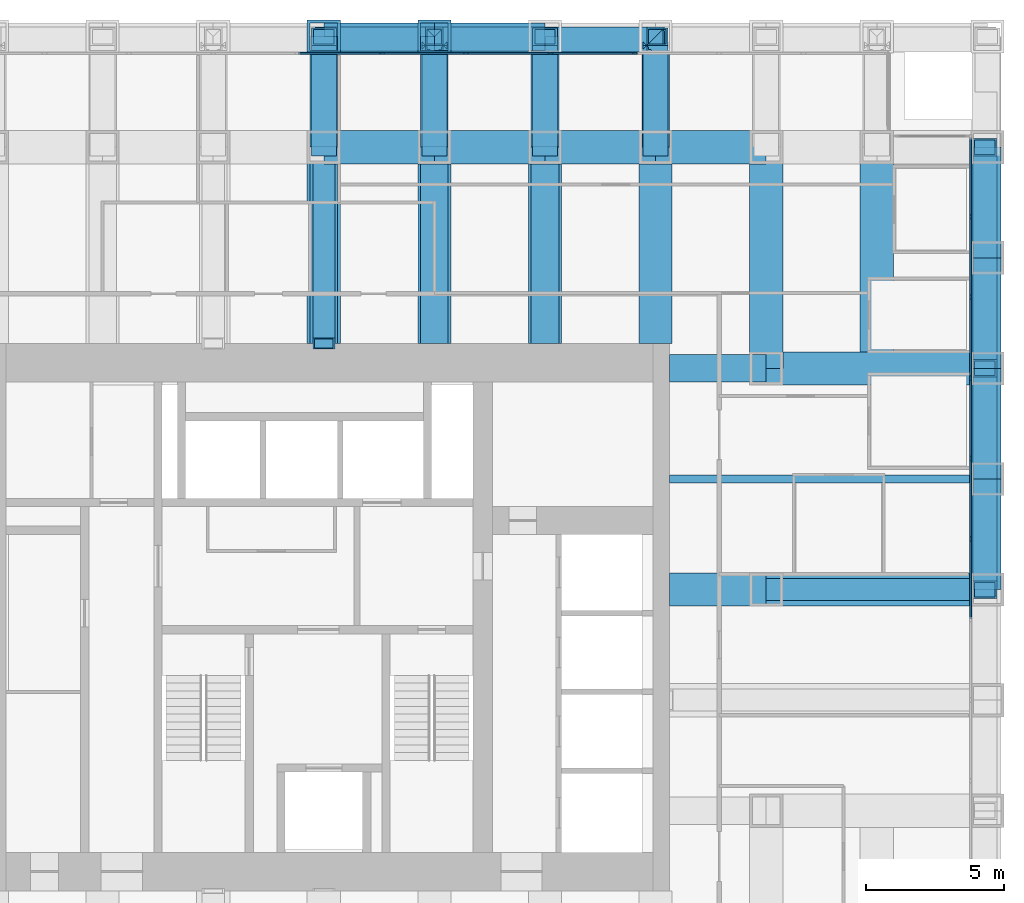
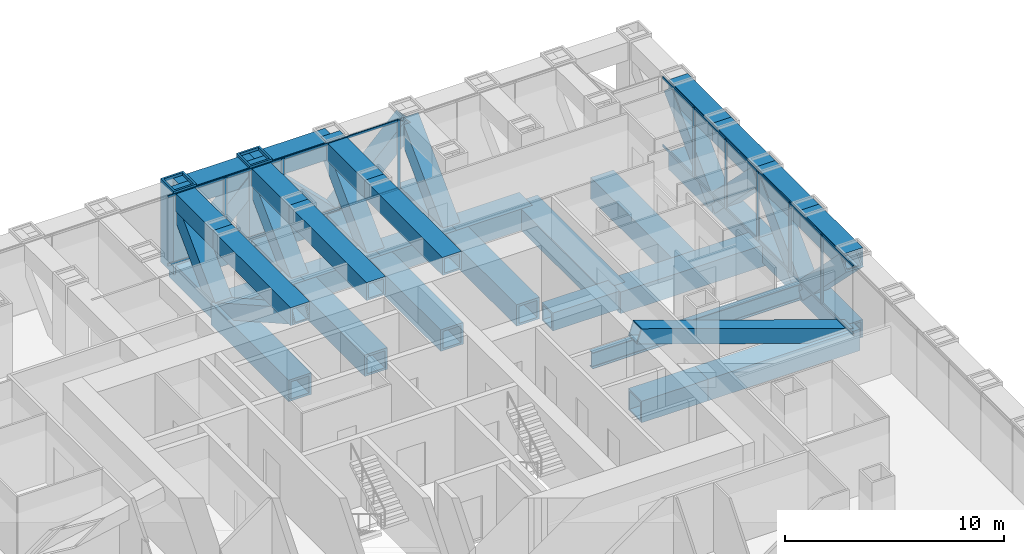
# One storey, part 9 of 18: 44 members, 37 beams, 2 elements without a shape of their own.
"""IFC4 building model written with IfcOpenShell, lengths in metres."""

from ifc_helpers import new_model, si_unit, direction, frame, origin, origin_2d, place, context, subcontext, project, spatial, rectangle, hollow_rectangle, i_section, extrude, material, material_profile, profile_set, type_object, element, aggregate, save


model = new_model("IFC4")

# Units and contexts
model_context = context("Model", 3, precision=1e-05, world=origin(), true_north=direction((0.0, 1.0)))
body_context = subcontext(model_context, "Body", "Model", "MODEL_VIEW")
ifc_project = project(units=[si_unit("LENGTHUNIT", "METRE"), si_unit("AREAUNIT", "SQUARE_METRE"), si_unit("VOLUMEUNIT", "CUBIC_METRE"), si_unit("PLANEANGLEUNIT", "RADIAN"), si_unit("MASSUNIT", "GRAM", prefix="KILO")], contexts=[model_context])

# Site, building, storey
site_placement = place(None, origin())
site = spatial("IfcSite", under=ifc_project, at=site_placement, CompositionType="ELEMENT")
building_placement = place(site_placement, origin())
building = spatial("IfcBuilding", under=site, at=building_placement, Name="Rimbunsela Tower", CompositionType="ELEMENT")
storey_placement = place(building_placement, frame((0.0, 0.0, 43.0)))
storey = spatial("IfcBuildingStorey", under=building, at=storey_placement, Name="L10", CompositionType="ELEMENT", Elevation=43.0)

# Beams
ifc_material_1 = material(Name="Steel BJ 55 (fy 410 MPa)", Category="steel")
ifc_material_profile_1 = material_profile(ifc_material_1, hollow_rectangle(XDim=1.0, YDim=1.0, WallThickness=0.10009765625, at=origin_2d()), Name="BOX 1000x1000x100")
ifc_profile_set_1 = profile_set([ifc_material_profile_1], Name="Steel BJ 55 (fy 410 MPa)")
beam_type_1 = type_object("IfcBeamType", Name="Beam BOX 1000x1000x100", PredefinedType="BEAM", material=ifc_profile_set_1)
beam_1_placement = place(storey_placement, frame((42.5, 36.0, -0.64990234375), z_axis=(1.0, 0.0, 0.0), x_axis=(0.0, 1.0, 0.0)))
element("IfcBeam", 1, at=beam_1_placement, inside=storey, type_object=beam_type_1, Name="Beam B3 L10", PredefinedType="BEAM", context=body_context, shape_type="SweptSolid", body=[
    extrude(hollow_rectangle(XDim=1.0, YDim=1.0, WallThickness=0.10009765625, at=origin_2d()), origin(), (0.0, 0.0, 1.0), 3.5),
])
ifc_material_2 = material(Name="Steel BJ 55 (fy 410 MPa)", Category="steel")
ifc_material_profile_2 = material_profile(ifc_material_2, hollow_rectangle(XDim=1.199951171875, YDim=1.199951171875, WallThickness=0.10009765625, at=origin_2d()), Name="BOX 1200x1200x100")
ifc_profile_set_2 = profile_set([ifc_material_profile_2], Name="Steel BJ 55 (fy 410 MPa)")
beam_type_2 = type_object("IfcBeamType", Name="Beam BOX 1200x1200x100", PredefinedType="BEAM", material=ifc_profile_set_2)
beam_2_placement = place(storey_placement, frame((42.5, 28.0, -0.75), z_axis=(1.0, 0.0, 0.0), x_axis=(0.0, 1.0, 0.0)))
element("IfcBeam", 2, at=beam_2_placement, inside=storey, type_object=beam_type_2, Name="Beam B5 L10", PredefinedType="BEAM", context=body_context, shape_type="SweptSolid", body=[
    extrude(hollow_rectangle(XDim=1.199951171875, YDim=1.199951171875, WallThickness=0.10009765625, at=origin_2d()), origin(), (0.0, 0.0, 1.0), 3.5),
])
ifc_material_3 = material(Name="Steel BJ 55 (fy 410 MPa)", Category="steel")
ifc_material_profile_3 = material_profile(ifc_material_3, hollow_rectangle(XDim=1.199951171875, YDim=1.199951171875, WallThickness=0.125, at=origin_2d()), Name="BOX 1200x1200x125")
ifc_profile_set_3 = profile_set([ifc_material_profile_3], Name="Steel BJ 55 (fy 410 MPa)")
beam_type_3 = type_object("IfcBeamType", Name="Beam BOX 1200x1200x125", PredefinedType="BEAM", material=ifc_profile_set_3)
beam_3_placement = place(storey_placement, frame((30.0, 36.89990234375, -0.75), z_axis=(0.0, 1.0, 0.0), x_axis=(-1.0, 0.0, 0.0)))
element("IfcBeam", 3, at=beam_3_placement, inside=storey, type_object=beam_type_3, Name="Beam B4 L10", PredefinedType="BEAM", context=body_context, shape_type="SweptSolid", body=[
    extrude(hollow_rectangle(XDim=1.199951171875, YDim=1.199951171875, WallThickness=0.125, at=origin_2d()), origin(), (0.0, 0.0, 1.0), 7.10009765625),
])
beam_4_placement = place(storey_placement, frame((30.0, 44.0, -0.75), z_axis=(1.0, 0.0, 0.0), x_axis=(0.0, 1.0, 0.0)))
element("IfcBeam", 4, at=beam_4_placement, inside=storey, type_object=beam_type_3, Name="Beam B4 L10", PredefinedType="BEAM", context=body_context, shape_type="SweptSolid", body=[
    extrude(hollow_rectangle(XDim=1.199951171875, YDim=1.199951171875, WallThickness=0.125, at=origin_2d()), origin(), (0.0, 0.0, 1.0), 4.0),
])
beam_5_placement = place(storey_placement, frame((34.0, 36.89990234375, -0.75), z_axis=(0.0, 1.0, 0.0), x_axis=(-1.0, 0.0, 0.0)))
element("IfcBeam", 5, at=beam_5_placement, inside=storey, type_object=beam_type_3, Name="Beam B4 L10", PredefinedType="BEAM", context=body_context, shape_type="SweptSolid", body=[
    extrude(hollow_rectangle(XDim=1.199951171875, YDim=1.199951171875, WallThickness=0.125, at=origin_2d()), origin(), (0.0, 0.0, 1.0), 7.10009765625),
])
beam_6_placement = place(storey_placement, frame((34.0, 44.0, -0.75), z_axis=(1.0, 0.0, 0.0), x_axis=(0.0, 1.0, 0.0)))
element("IfcBeam", 6, at=beam_6_placement, inside=storey, type_object=beam_type_3, Name="Beam B4 L10", PredefinedType="BEAM", context=body_context, shape_type="SweptSolid", body=[
    extrude(hollow_rectangle(XDim=1.199951171875, YDim=1.199951171875, WallThickness=0.125, at=origin_2d()), origin(), (0.0, 0.0, 1.0), 4.0),
])
beam_7_placement = place(storey_placement, frame((38.0, 36.89990234375, -0.75), z_axis=(0.0, 1.0, 0.0), x_axis=(-1.0, 0.0, 0.0)))
element("IfcBeam", 7, at=beam_7_placement, inside=storey, type_object=beam_type_3, Name="Beam B4 L10", PredefinedType="BEAM", context=body_context, shape_type="SweptSolid", body=[
    extrude(hollow_rectangle(XDim=1.199951171875, YDim=1.199951171875, WallThickness=0.125, at=origin_2d()), origin(), (0.0, 0.0, 1.0), 7.10009765625),
])
beam_8_placement = place(storey_placement, frame((38.0, 44.0, -0.75), z_axis=(1.0, 0.0, 0.0), x_axis=(0.0, 1.0, 0.0)))
element("IfcBeam", 8, at=beam_8_placement, inside=storey, type_object=beam_type_3, Name="Beam B4 L10", PredefinedType="BEAM", context=body_context, shape_type="SweptSolid", body=[
    extrude(hollow_rectangle(XDim=1.199951171875, YDim=1.199951171875, WallThickness=0.125, at=origin_2d()), origin(), (0.0, 0.0, 1.0), 4.0),
])
beam_9_placement = place(storey_placement, frame((42.0, 36.89990234375, -0.75), z_axis=(0.0, 1.0, 0.0), x_axis=(-1.0, 0.0, 0.0)))
element("IfcBeam", 9, at=beam_9_placement, inside=storey, type_object=beam_type_3, Name="Beam B4 L10", PredefinedType="BEAM", context=body_context, shape_type="SweptSolid", body=[
    extrude(hollow_rectangle(XDim=1.199951171875, YDim=1.199951171875, WallThickness=0.125, at=origin_2d()), origin(), (0.0, 0.0, 1.0), 7.10009765625),
])
beam_10_placement = place(storey_placement, frame((42.0, 44.0, -0.75), z_axis=(1.0, 0.0, 0.0), x_axis=(0.0, 1.0, 0.0)))
element("IfcBeam", 10, at=beam_10_placement, inside=storey, type_object=beam_type_3, Name="Beam B4 L10", PredefinedType="BEAM", context=body_context, shape_type="SweptSolid", body=[
    extrude(hollow_rectangle(XDim=1.199951171875, YDim=1.199951171875, WallThickness=0.125, at=origin_2d()), origin(), (0.0, 0.0, 1.0), 4.0),
])
for number, where, z_axis, x_axis, name in (
    (11, (46.0, 28.0, -0.75), (1.0, 0.0, 0.0), (0.0, 1.0, 0.0), "Beam B4 L10"),
    (12, (46.0, 36.0, -0.75), (0.0, 1.0, 0.0), (-1.0, 0.0, 0.0), "Beam B4 L10"),
    (13, (46.0, 36.0, -0.75), (1.0, 0.0, 0.0), (0.0, 1.0, 0.0), "Beam B4 L10"),
):
    element("IfcBeam", number, at=place(storey_placement, frame(where, z_axis=z_axis, x_axis=x_axis)), inside=storey, type_object=beam_type_3, Name=name, PredefinedType="BEAM", context=body_context, shape_type="SweptSolid", body=[
        extrude(hollow_rectangle(XDim=1.199951171875, YDim=1.199951171875, WallThickness=0.125, at=origin_2d()), origin(), (0.0, 0.0, 1.0), 8.0),
    ])
beam_11_placement = place(storey_placement, frame((50.0, 36.60009765625, -0.75), z_axis=(0.0, 1.0, 0.0), x_axis=(-1.0, 0.0, 0.0)))
element("IfcBeam", 14, at=beam_11_placement, inside=storey, type_object=beam_type_3, Name="Beam B4 L10", PredefinedType="BEAM", context=body_context, shape_type="SweptSolid", body=[
    extrude(hollow_rectangle(XDim=1.199951171875, YDim=1.199951171875, WallThickness=0.125, at=origin_2d()), origin(), (0.0, 0.0, 1.0), 7.39990234375),
])
ifc_material_4 = material(Name="Steel BJ 55 (fy 410 MPa)", Category="steel")
ifc_material_profile_4 = material_profile(ifc_material_4, i_section(OverallWidth=0.300048828125, OverallDepth=0.89990234375, WebThickness=0.01611328125, FlangeThickness=0.028076171875, FilletRadius=0.028076171875, at=origin_2d()), Name="H 900x300x16x28")
ifc_profile_set_4 = profile_set([ifc_material_profile_4], Name="Steel BJ 55 (fy 410 MPa)")
beam_type_4 = type_object("IfcBeamType", Name="Beam H 900x300x16x28", PredefinedType="BEAM", material=ifc_profile_set_4)
beam_12_placement = place(storey_placement, frame((42.5, 32.0, -0.60009765625), z_axis=(1.0, 0.0, 0.0), x_axis=(0.0, 1.0, 0.0)))
element("IfcBeam", 15, at=beam_12_placement, inside=storey, type_object=beam_type_4, Name="Beam B2 L10", PredefinedType="BEAM", context=body_context, shape_type="SweptSolid", body=[
    extrude(i_section(OverallWidth=0.300048828125, OverallDepth=0.89990234375, WebThickness=0.01611328125, FlangeThickness=0.028076171875, FilletRadius=0.028076171875, at=origin_2d()), origin(), (0.0, 0.0, 1.0), 11.5),
])

# Curtain wall, members
ifc_material_5 = material(Name="Aluminium curtain wall", Category="aluminium")
curtain_wall_type = type_object("IfcCurtainWallType", Name="Exoskeleton storey infill", PredefinedType="USERDEFINED", material=ifc_material_5)
curtain_wall_1_placement = place(storey_placement, origin())
curtain_wall_1 = element("IfcCurtainWall", 16, at=curtain_wall_1_placement, inside=storey, type_object=curtain_wall_type, Name="Exoskeleton storey infill L10", ObjectType="EXOSKELETON STOREY INFILL", PredefinedType="USERDEFINED")
ifc_material_6 = material(Name="Aluminium mullion", Category="aluminium")
ifc_material_profile_5 = material_profile(ifc_material_6, rectangle(XDim=0.06005859375, YDim=0.159912109375, at=origin_2d()), Name="Mullion 60x160")
ifc_profile_set_5 = profile_set([ifc_material_profile_5], Name="Aluminium mullion")
member_type_1 = type_object("IfcMemberType", Name="Curtain wall mullion 60x160", PredefinedType="MULLION", material=ifc_profile_set_5)
member_1_placement = place(storey_placement, frame((53.39990234375, 29.82861328125, 0.0), z_axis=(0.0, 0.0, 1.0), x_axis=(-1.0, 0.0, 0.0)))
member_1 = element("IfcMember", 17, at=member_1_placement, type_object=member_type_1, Name="CW2 mullion 10", PredefinedType="MULLION", context=body_context, shape_type="SweptSolid", body=[
    extrude(rectangle(XDim=0.06005859375, YDim=0.159912109375, at=origin_2d()), origin(), (0.0, 0.0, 1.0), 3.85009765625),
])
member_2_placement = place(storey_placement, frame((53.39990234375, 32.742919921875, 0.0), z_axis=(0.0, 0.0, 1.0), x_axis=(-1.0, 0.0, 0.0)))
member_2 = element("IfcMember", 18, at=member_2_placement, type_object=member_type_1, Name="CW2 mullion 11", PredefinedType="MULLION", context=body_context, shape_type="SweptSolid", body=[
    extrude(rectangle(XDim=0.06005859375, YDim=0.159912109375, at=origin_2d()), origin(), (0.0, 0.0, 1.0), 3.85009765625),
])
member_3_placement = place(storey_placement, frame((53.39990234375, 35.6572265625, 0.0), z_axis=(0.0, 0.0, 1.0), x_axis=(-1.0, 0.0, 0.0)))
member_3 = element("IfcMember", 19, at=member_3_placement, type_object=member_type_1, Name="CW2 mullion 12", PredefinedType="MULLION", context=body_context, shape_type="SweptSolid", body=[
    extrude(rectangle(XDim=0.06005859375, YDim=0.159912109375, at=origin_2d()), origin(), (0.0, 0.0, 1.0), 3.85009765625),
])
member_4_placement = place(storey_placement, frame((53.39990234375, 38.571533203125, 0.0), z_axis=(0.0, 0.0, 1.0), x_axis=(-1.0, 0.0, 0.0)))
member_4 = element("IfcMember", 20, at=member_4_placement, type_object=member_type_1, Name="CW2 mullion 13", PredefinedType="MULLION", context=body_context, shape_type="SweptSolid", body=[
    extrude(rectangle(XDim=0.06005859375, YDim=0.159912109375, at=origin_2d()), origin(), (0.0, 0.0, 1.0), 3.85009765625),
])
member_5_placement = place(storey_placement, frame((53.39990234375, 41.485595703125, 0.0), z_axis=(0.0, 0.0, 1.0), x_axis=(-1.0, 0.0, 0.0)))
member_5 = element("IfcMember", 21, at=member_5_placement, type_object=member_type_1, Name="CW2 mullion 14", PredefinedType="MULLION", context=body_context, shape_type="SweptSolid", body=[
    extrude(rectangle(XDim=0.06005859375, YDim=0.159912109375, at=origin_2d()), origin(), (0.0, 0.0, 1.0), 3.85009765625),
])

curtain_wall_2_placement = place(storey_placement, origin())
curtain_wall_2 = element("IfcCurtainWall", 22, at=curtain_wall_2_placement, inside=storey, type_object=curtain_wall_type, Name="Exoskeleton storey infill L10", ObjectType="EXOSKELETON STOREY INFILL", PredefinedType="USERDEFINED")
member_6_placement = place(storey_placement, frame((41.25, 47.39990234375, 0.0), z_axis=(0.0, 0.0, 1.0), x_axis=(0.0, -1.0, 0.0)))
member_6 = element("IfcMember", 23, at=member_6_placement, type_object=member_type_1, Name="CW2 mullion 4", PredefinedType="MULLION", context=body_context, shape_type="SweptSolid", body=[
    extrude(rectangle(XDim=0.06005859375, YDim=0.159912109375, at=origin_2d()), origin(), (0.0, 0.0, 1.0), 3.85009765625),
])
member_7_placement = place(storey_placement, frame((38.199951171875, 47.39990234375, 0.0), z_axis=(0.0, 0.0, 1.0), x_axis=(0.0, -1.0, 0.0)))
member_7 = element("IfcMember", 24, at=member_7_placement, type_object=member_type_1, Name="CW2 mullion 5", PredefinedType="MULLION", context=body_context, shape_type="SweptSolid", body=[
    extrude(rectangle(XDim=0.06005859375, YDim=0.159912109375, at=origin_2d()), origin(), (0.0, 0.0, 1.0), 3.85009765625),
])
member_8_placement = place(storey_placement, frame((35.14990234375, 47.39990234375, 0.0), z_axis=(0.0, 0.0, 1.0), x_axis=(0.0, -1.0, 0.0)))
member_8 = element("IfcMember", 25, at=member_8_placement, type_object=member_type_1, Name="CW2 mullion 6", PredefinedType="MULLION", context=body_context, shape_type="SweptSolid", body=[
    extrude(rectangle(XDim=0.06005859375, YDim=0.159912109375, at=origin_2d()), origin(), (0.0, 0.0, 1.0), 3.85009765625),
])
member_9_placement = place(storey_placement, frame((32.10009765625, 47.39990234375, 0.0), z_axis=(0.0, 0.0, 1.0), x_axis=(0.0, -1.0, 0.0)))
member_9 = element("IfcMember", 26, at=member_9_placement, type_object=member_type_1, Name="CW2 mullion 7", PredefinedType="MULLION", context=body_context, shape_type="SweptSolid", body=[
    extrude(rectangle(XDim=0.06005859375, YDim=0.159912109375, at=origin_2d()), origin(), (0.0, 0.0, 1.0), 3.85009765625),
])

# Member
ifc_material_7 = material(Name="Aluminium transom", Category="aluminium")
ifc_material_profile_6 = material_profile(ifc_material_7, rectangle(XDim=0.06005859375, YDim=0.1201171875, at=origin_2d()), Name="Transom 60x120")
ifc_profile_set_6 = profile_set([ifc_material_profile_6], Name="Aluminium transom")
member_type_2 = type_object("IfcMemberType", Name="Curtain wall transom 60x120", PredefinedType="USERDEFINED", material=ifc_profile_set_6)
member_10_placement = place(storey_placement, frame((53.39990234375, 26.9443359375, 0.030029296875), z_axis=(0.0, 1.0, 0.0), x_axis=(-1.0, 0.0, 0.0)))
member_10 = element("IfcMember", 27, at=member_10_placement, type_object=member_type_2, Name="CW2 transom 9.1", ObjectType="TRANSOM", PredefinedType="USERDEFINED", context=body_context, shape_type="SweptSolid", body=[
    extrude(rectangle(XDim=0.06005859375, YDim=0.1201171875, at=origin_2d()), origin(), (0.0, 0.0, 1.0), 2.854248046875),
])

member_11_placement = place(storey_placement, frame((53.39990234375, 26.9443359375, 3.820068359375), z_axis=(0.0, 1.0, 0.0), x_axis=(-1.0, 0.0, 0.0)))
member_11 = element("IfcMember", 28, at=member_11_placement, type_object=member_type_2, Name="CW2 transom 9.2", ObjectType="TRANSOM", PredefinedType="USERDEFINED", context=body_context, shape_type="SweptSolid", body=[
    extrude(rectangle(XDim=0.06005859375, YDim=0.1201171875, at=origin_2d()), origin(), (0.0, 0.0, 1.0), 2.854248046875),
])

member_12_placement = place(storey_placement, frame((53.39990234375, 29.858642578125, 0.030029296875), z_axis=(0.0, 1.0, 0.0), x_axis=(-1.0, 0.0, 0.0)))
member_12 = element("IfcMember", 29, at=member_12_placement, type_object=member_type_2, Name="CW2 transom 10.1", ObjectType="TRANSOM", PredefinedType="USERDEFINED", context=body_context, shape_type="SweptSolid", body=[
    extrude(rectangle(XDim=0.06005859375, YDim=0.1201171875, at=origin_2d()), origin(), (0.0, 0.0, 1.0), 2.854248046875),
])

member_13_placement = place(storey_placement, frame((53.39990234375, 29.858642578125, 3.820068359375), z_axis=(0.0, 1.0, 0.0), x_axis=(-1.0, 0.0, 0.0)))
member_13 = element("IfcMember", 30, at=member_13_placement, type_object=member_type_2, Name="CW2 transom 10.2", ObjectType="TRANSOM", PredefinedType="USERDEFINED", context=body_context, shape_type="SweptSolid", body=[
    extrude(rectangle(XDim=0.06005859375, YDim=0.1201171875, at=origin_2d()), origin(), (0.0, 0.0, 1.0), 2.854248046875),
])

member_14_placement = place(storey_placement, frame((53.39990234375, 32.77294921875, 0.030029296875), z_axis=(0.0, 1.0, 0.0), x_axis=(-1.0, 0.0, 0.0)))
member_14 = element("IfcMember", 31, at=member_14_placement, type_object=member_type_2, Name="CW2 transom 11.1", ObjectType="TRANSOM", PredefinedType="USERDEFINED", context=body_context, shape_type="SweptSolid", body=[
    extrude(rectangle(XDim=0.06005859375, YDim=0.1201171875, at=origin_2d()), origin(), (0.0, 0.0, 1.0), 2.854248046875),
])

member_15_placement = place(storey_placement, frame((53.39990234375, 32.77294921875, 3.820068359375), z_axis=(0.0, 1.0, 0.0), x_axis=(-1.0, 0.0, 0.0)))
member_15 = element("IfcMember", 32, at=member_15_placement, type_object=member_type_2, Name="CW2 transom 11.2", ObjectType="TRANSOM", PredefinedType="USERDEFINED", context=body_context, shape_type="SweptSolid", body=[
    extrude(rectangle(XDim=0.06005859375, YDim=0.1201171875, at=origin_2d()), origin(), (0.0, 0.0, 1.0), 2.854248046875),
])

member_16_placement = place(storey_placement, frame((53.39990234375, 35.687255859375, 0.030029296875), z_axis=(0.0, 1.0, 0.0), x_axis=(-1.0, 0.0, 0.0)))
member_16 = element("IfcMember", 33, at=member_16_placement, type_object=member_type_2, Name="CW2 transom 12.1", ObjectType="TRANSOM", PredefinedType="USERDEFINED", context=body_context, shape_type="SweptSolid", body=[
    extrude(rectangle(XDim=0.06005859375, YDim=0.1201171875, at=origin_2d()), origin(), (0.0, 0.0, 1.0), 2.854248046875),
])

member_17_placement = place(storey_placement, frame((53.39990234375, 35.687255859375, 3.820068359375), z_axis=(0.0, 1.0, 0.0), x_axis=(-1.0, 0.0, 0.0)))
member_17 = element("IfcMember", 34, at=member_17_placement, type_object=member_type_2, Name="CW2 transom 12.2", ObjectType="TRANSOM", PredefinedType="USERDEFINED", context=body_context, shape_type="SweptSolid", body=[
    extrude(rectangle(XDim=0.06005859375, YDim=0.1201171875, at=origin_2d()), origin(), (0.0, 0.0, 1.0), 2.854248046875),
])

member_18_placement = place(storey_placement, frame((53.39990234375, 38.601318359375, 0.030029296875), z_axis=(0.0, 1.0, 0.0), x_axis=(-1.0, 0.0, 0.0)))
member_18 = element("IfcMember", 35, at=member_18_placement, type_object=member_type_2, Name="CW2 transom 13.1", ObjectType="TRANSOM", PredefinedType="USERDEFINED", context=body_context, shape_type="SweptSolid", body=[
    extrude(rectangle(XDim=0.06005859375, YDim=0.1201171875, at=origin_2d()), origin(), (0.0, 0.0, 1.0), 2.8544921875),
])

member_19_placement = place(storey_placement, frame((53.39990234375, 38.601318359375, 3.820068359375), z_axis=(0.0, 1.0, 0.0), x_axis=(-1.0, 0.0, 0.0)))
member_19 = element("IfcMember", 36, at=member_19_placement, type_object=member_type_2, Name="CW2 transom 13.2", ObjectType="TRANSOM", PredefinedType="USERDEFINED", context=body_context, shape_type="SweptSolid", body=[
    extrude(rectangle(XDim=0.06005859375, YDim=0.1201171875, at=origin_2d()), origin(), (0.0, 0.0, 1.0), 2.8544921875),
])

member_20_placement = place(storey_placement, frame((53.39990234375, 41.515625, 0.030029296875), z_axis=(0.0, 1.0, 0.0), x_axis=(-1.0, 0.0, 0.0)))
member_20 = element("IfcMember", 37, at=member_20_placement, type_object=member_type_2, Name="CW2 transom 14.1", ObjectType="TRANSOM", PredefinedType="USERDEFINED", context=body_context, shape_type="SweptSolid", body=[
    extrude(rectangle(XDim=0.06005859375, YDim=0.1201171875, at=origin_2d()), origin(), (0.0, 0.0, 1.0), 2.824462890625),
])

member_21_placement = place(storey_placement, frame((53.39990234375, 41.515625, 3.820068359375), z_axis=(0.0, 1.0, 0.0), x_axis=(-1.0, 0.0, 0.0)))
member_21 = element("IfcMember", 38, at=member_21_placement, type_object=member_type_2, Name="CW2 transom 14.2", ObjectType="TRANSOM", PredefinedType="USERDEFINED", context=body_context, shape_type="SweptSolid", body=[
    extrude(rectangle(XDim=0.06005859375, YDim=0.1201171875, at=origin_2d()), origin(), (0.0, 0.0, 1.0), 2.824462890625),
])

aggregate(curtain_wall_1, [member_1, member_2, member_3, member_4, member_5, member_10, member_11, member_12, member_13, member_14, member_15, member_16, member_17, member_18, member_19, member_20, member_21])

member_22_placement = place(storey_placement, frame((41.219970703125, 47.39990234375, 0.030029296875), z_axis=(-1.0, 0.0, 0.0), x_axis=(0.0, -1.0, 0.0)))
member_22 = element("IfcMember", 39, at=member_22_placement, type_object=member_type_2, Name="CW2 transom 4.1", ObjectType="TRANSOM", PredefinedType="USERDEFINED", context=body_context, shape_type="SweptSolid", body=[
    extrude(rectangle(XDim=0.06005859375, YDim=0.1201171875, at=origin_2d()), origin(), (0.0, 0.0, 1.0), 2.989990234375),
])

member_23_placement = place(storey_placement, frame((41.219970703125, 47.39990234375, 3.820068359375), z_axis=(-1.0, 0.0, 0.0), x_axis=(0.0, -1.0, 0.0)))
member_23 = element("IfcMember", 40, at=member_23_placement, type_object=member_type_2, Name="CW2 transom 4.2", ObjectType="TRANSOM", PredefinedType="USERDEFINED", context=body_context, shape_type="SweptSolid", body=[
    extrude(rectangle(XDim=0.06005859375, YDim=0.1201171875, at=origin_2d()), origin(), (0.0, 0.0, 1.0), 2.989990234375),
])

member_24_placement = place(storey_placement, frame((38.169921875, 47.39990234375, 0.030029296875), z_axis=(-1.0, 0.0, 0.0), x_axis=(0.0, -1.0, 0.0)))
member_24 = element("IfcMember", 41, at=member_24_placement, type_object=member_type_2, Name="CW2 transom 5.1", ObjectType="TRANSOM", PredefinedType="USERDEFINED", context=body_context, shape_type="SweptSolid", body=[
    extrude(rectangle(XDim=0.06005859375, YDim=0.1201171875, at=origin_2d()), origin(), (0.0, 0.0, 1.0), 2.989990234375),
])

member_25_placement = place(storey_placement, frame((38.169921875, 47.39990234375, 3.820068359375), z_axis=(-1.0, 0.0, 0.0), x_axis=(0.0, -1.0, 0.0)))
member_25 = element("IfcMember", 42, at=member_25_placement, type_object=member_type_2, Name="CW2 transom 5.2", ObjectType="TRANSOM", PredefinedType="USERDEFINED", context=body_context, shape_type="SweptSolid", body=[
    extrude(rectangle(XDim=0.06005859375, YDim=0.1201171875, at=origin_2d()), origin(), (0.0, 0.0, 1.0), 2.989990234375),
])

member_26_placement = place(storey_placement, frame((35.1201171875, 47.39990234375, 0.030029296875), z_axis=(-1.0, 0.0, 0.0), x_axis=(0.0, -1.0, 0.0)))
member_26 = element("IfcMember", 43, at=member_26_placement, type_object=member_type_2, Name="CW2 transom 6.1", ObjectType="TRANSOM", PredefinedType="USERDEFINED", context=body_context, shape_type="SweptSolid", body=[
    extrude(rectangle(XDim=0.06005859375, YDim=0.1201171875, at=origin_2d()), origin(), (0.0, 0.0, 1.0), 2.990234375),
])

member_27_placement = place(storey_placement, frame((35.1201171875, 47.39990234375, 3.820068359375), z_axis=(-1.0, 0.0, 0.0), x_axis=(0.0, -1.0, 0.0)))
member_27 = element("IfcMember", 44, at=member_27_placement, type_object=member_type_2, Name="CW2 transom 6.2", ObjectType="TRANSOM", PredefinedType="USERDEFINED", context=body_context, shape_type="SweptSolid", body=[
    extrude(rectangle(XDim=0.06005859375, YDim=0.1201171875, at=origin_2d()), origin(), (0.0, 0.0, 1.0), 2.990234375),
])

member_28_placement = place(storey_placement, frame((32.070068359375, 47.39990234375, 0.030029296875), z_axis=(-1.0, 0.0, 0.0), x_axis=(0.0, -1.0, 0.0)))
member_28 = element("IfcMember", 45, at=member_28_placement, type_object=member_type_2, Name="CW2 transom 7.1", ObjectType="TRANSOM", PredefinedType="USERDEFINED", context=body_context, shape_type="SweptSolid", body=[
    extrude(rectangle(XDim=0.06005859375, YDim=0.1201171875, at=origin_2d()), origin(), (0.0, 0.0, 1.0), 2.989990234375),
])

member_29_placement = place(storey_placement, frame((32.070068359375, 47.39990234375, 3.820068359375), z_axis=(-1.0, 0.0, 0.0), x_axis=(0.0, -1.0, 0.0)))
member_29 = element("IfcMember", 46, at=member_29_placement, type_object=member_type_2, Name="CW2 transom 7.2", ObjectType="TRANSOM", PredefinedType="USERDEFINED", context=body_context, shape_type="SweptSolid", body=[
    extrude(rectangle(XDim=0.06005859375, YDim=0.1201171875, at=origin_2d()), origin(), (0.0, 0.0, 1.0), 2.989990234375),
])

aggregate(curtain_wall_2, [member_6, member_7, member_8, member_9, member_22, member_23, member_24, member_25, member_26, member_27, member_28, member_29])

# Members
ifc_material_8 = material(Name="Steel BJ 55 (fy 410 MPa)", Category="steel")
ifc_material_profile_7 = material_profile(ifc_material_8, hollow_rectangle(XDim=0.800048828125, YDim=0.800048828125, WallThickness=0.06005859375, at=origin_2d()), Name="BOX 800x800x60")
ifc_profile_set_7 = profile_set([ifc_material_profile_7], Name="Steel BJ 55 (fy 410 MPa)")
member_type_3 = type_object("IfcMemberType", Name="Outrigger brace BOX 800x800x60", PredefinedType="BRACE", material=ifc_profile_set_7)
member_30_placement = place(storey_placement, frame((30.0, 44.0, -0.64990234375), z_axis=(0.0, -0.871250514853, 0.490838609289), x_axis=(1.0, 0.0, 0.0)))
element("IfcMember", 47, at=member_30_placement, inside=storey, type_object=member_type_3, Name="Outrigger brace OB1 N L10", PredefinedType="BRACE", context=body_context, shape_type="SweptSolid", body=[
    extrude(hollow_rectangle(XDim=0.800048828125, YDim=0.800048828125, WallThickness=0.06005859375, at=origin_2d()), origin(), (0.0, 0.0, 1.0), 8.1494140625),
])
member_31_placement = place(storey_placement, frame((54.0, 28.0, -0.64990234375), z_axis=(-0.944496796706, 0.0, 0.328520624941), x_axis=(0.0, -1.0, 0.0)))
element("IfcMember", 48, at=member_31_placement, inside=storey, type_object=member_type_3, Name="Outrigger brace OB1 E L10", PredefinedType="BRACE", context=body_context, shape_type="SweptSolid", body=[
    extrude(hollow_rectangle(XDim=0.800048828125, YDim=0.800048828125, WallThickness=0.06005859375, at=origin_2d()), origin(), (0.0, 0.0, 1.0), 12.17578125),
])

# Beams
ifc_material_9 = material(Name="Steel BJ 55 (fy 410 MPa)", Category="steel")
ifc_material_profile_8 = material_profile(ifc_material_9, hollow_rectangle(XDim=1.0, YDim=1.0, WallThickness=0.10009765625, at=origin_2d()), Name="BOX 1000x1000x100")
ifc_profile_set_8 = profile_set([ifc_material_profile_8], Name="Steel BJ 55 (fy 410 MPa)")
beam_type_5 = type_object("IfcBeamType", Name="Truss chord BOX 1000x1000x100", PredefinedType="USERDEFINED", material=ifc_profile_set_8)
for number, where, z_axis, x_axis, name in (
    (49, (30.0, 48.0, 3.35009765625), (1.0, 0.0, 0.0), (0.0, 1.0, 0.0), "Truss top chord TC1 N face L10"),
    (50, (34.0, 48.0, 3.35009765625), (1.0, 0.0, 0.0), (0.0, 1.0, 0.0), "Truss top chord TC1 N face L10"),
    (51, (54.0, 28.0, 3.35009765625), (0.0, 1.0, 0.0), (-1.0, 0.0, 0.0), "Truss top chord TC1 E face L10"),
    (52, (54.0, 32.0, 3.35009765625), (0.0, 1.0, 0.0), (-1.0, 0.0, 0.0), "Truss top chord TC1 E face L10"),
    (53, (54.0, 36.0, 3.35009765625), (0.0, 1.0, 0.0), (-1.0, 0.0, 0.0), "Truss top chord TC1 E face L10"),
    (54, (54.0, 40.0, 3.35009765625), (0.0, 1.0, 0.0), (-1.0, 0.0, 0.0), "Truss top chord TC1 E face L10"),
    (55, (54.0, 28.0, -0.64990234375), (0.0, 1.0, 0.0), (-1.0, 0.0, 0.0), "Truss bottom chord TC1 E face L10"),
    (56, (54.0, 32.0, -0.64990234375), (0.0, 1.0, 0.0), (-1.0, 0.0, 0.0), "Truss bottom chord TC1 E face L10"),
    (57, (54.0, 36.0, -0.64990234375), (0.0, 1.0, 0.0), (-1.0, 0.0, 0.0), "Truss bottom chord TC1 E face L10"),
    (58, (54.0, 40.0, -0.64990234375), (0.0, 1.0, 0.0), (-1.0, 0.0, 0.0), "Truss bottom chord TC1 E face L10"),
    (59, (30.0, 44.0, -0.64990234375), (0.0, 1.0, 0.0), (-1.0, 0.0, 0.0), "Cantilever truss bottom chord TC1 10/P L10"),
):
    element("IfcBeam", number, at=place(storey_placement, frame(where, z_axis=z_axis, x_axis=x_axis)), inside=storey, type_object=beam_type_5, Name=name, ObjectType="TRUSS CHORD", PredefinedType="USERDEFINED", context=body_context, shape_type="SweptSolid", body=[
        extrude(hollow_rectangle(XDim=1.0, YDim=1.0, WallThickness=0.10009765625, at=origin_2d()), origin(), (0.0, 0.0, 1.0), 4.0),
    ])
beam_13_placement = place(storey_placement, frame((30.0, 36.89990234375, 3.35009765625), z_axis=(0.0, 1.0, 0.0), x_axis=(-1.0, 0.0, 0.0)))
element("IfcBeam", 60, at=beam_13_placement, inside=storey, type_object=beam_type_5, Name="Cantilever truss top chord TC1 10/P L10", ObjectType="TRUSS CHORD", PredefinedType="USERDEFINED", context=body_context, shape_type="SweptSolid", body=[
    extrude(hollow_rectangle(XDim=1.0, YDim=1.0, WallThickness=0.10009765625, at=origin_2d()), origin(), (0.0, 0.0, 1.0), 7.10009765625),
])
for number, where, z_axis, x_axis, name in (
    (61, (30.0, 44.0, 3.35009765625), (0.0, 1.0, 0.0), (-1.0, 0.0, 0.0), "Cantilever truss top chord TC1 10/P L10"),
    (62, (34.0, 44.0, -0.64990234375), (0.0, 1.0, 0.0), (-1.0, 0.0, 0.0), "Cantilever truss bottom chord TC1 11/P L10"),
):
    element("IfcBeam", number, at=place(storey_placement, frame(where, z_axis=z_axis, x_axis=x_axis)), inside=storey, type_object=beam_type_5, Name=name, ObjectType="TRUSS CHORD", PredefinedType="USERDEFINED", context=body_context, shape_type="SweptSolid", body=[
        extrude(hollow_rectangle(XDim=1.0, YDim=1.0, WallThickness=0.10009765625, at=origin_2d()), origin(), (0.0, 0.0, 1.0), 4.0),
    ])
beam_14_placement = place(storey_placement, frame((34.0, 36.89990234375, 3.35009765625), z_axis=(0.0, 1.0, 0.0), x_axis=(-1.0, 0.0, 0.0)))
element("IfcBeam", 63, at=beam_14_placement, inside=storey, type_object=beam_type_5, Name="Cantilever truss top chord TC1 11/P L10", ObjectType="TRUSS CHORD", PredefinedType="USERDEFINED", context=body_context, shape_type="SweptSolid", body=[
    extrude(hollow_rectangle(XDim=1.0, YDim=1.0, WallThickness=0.10009765625, at=origin_2d()), origin(), (0.0, 0.0, 1.0), 7.10009765625),
])
for number, where, z_axis, x_axis, name in (
    (64, (34.0, 44.0, 3.35009765625), (0.0, 1.0, 0.0), (-1.0, 0.0, 0.0), "Cantilever truss top chord TC1 11/P L10"),
    (65, (38.0, 44.0, -0.64990234375), (0.0, 1.0, 0.0), (-1.0, 0.0, 0.0), "Cantilever truss bottom chord TC1 12/P L10"),
):
    element("IfcBeam", number, at=place(storey_placement, frame(where, z_axis=z_axis, x_axis=x_axis)), inside=storey, type_object=beam_type_5, Name=name, ObjectType="TRUSS CHORD", PredefinedType="USERDEFINED", context=body_context, shape_type="SweptSolid", body=[
        extrude(hollow_rectangle(XDim=1.0, YDim=1.0, WallThickness=0.10009765625, at=origin_2d()), origin(), (0.0, 0.0, 1.0), 4.0),
    ])
beam_15_placement = place(storey_placement, frame((38.0, 36.89990234375, 3.35009765625), z_axis=(0.0, 1.0, 0.0), x_axis=(-1.0, 0.0, 0.0)))
element("IfcBeam", 66, at=beam_15_placement, inside=storey, type_object=beam_type_5, Name="Cantilever truss top chord TC1 12/P L10", ObjectType="TRUSS CHORD", PredefinedType="USERDEFINED", context=body_context, shape_type="SweptSolid", body=[
    extrude(hollow_rectangle(XDim=1.0, YDim=1.0, WallThickness=0.10009765625, at=origin_2d()), origin(), (0.0, 0.0, 1.0), 7.10009765625),
])
for number, where, z_axis, x_axis, name in (
    (67, (38.0, 44.0, 3.35009765625), (0.0, 1.0, 0.0), (-1.0, 0.0, 0.0), "Cantilever truss top chord TC1 12/P L10"),
    (68, (42.0, 44.0, -0.64990234375), (0.0, 1.0, 0.0), (-1.0, 0.0, 0.0), "Cantilever truss bottom chord TC1 13/P L10"),
    (69, (30.0, 48.0, -0.64990234375), (1.0, 0.0, 0.0), (0.0, 1.0, 0.0), "Truss bottom chord TC1 N face L10"),
    (70, (34.0, 48.0, -0.64990234375), (1.0, 0.0, 0.0), (0.0, 1.0, 0.0), "Truss bottom chord TC1 N face L10"),
):
    element("IfcBeam", number, at=place(storey_placement, frame(where, z_axis=z_axis, x_axis=x_axis)), inside=storey, type_object=beam_type_5, Name=name, ObjectType="TRUSS CHORD", PredefinedType="USERDEFINED", context=body_context, shape_type="SweptSolid", body=[
        extrude(hollow_rectangle(XDim=1.0, YDim=1.0, WallThickness=0.10009765625, at=origin_2d()), origin(), (0.0, 0.0, 1.0), 4.0),
    ])

# Members
ifc_material_10 = material(Name="Steel BJ 55 (fy 410 MPa)", Category="steel")
ifc_material_profile_9 = material_profile(ifc_material_10, hollow_rectangle(XDim=0.89990234375, YDim=0.89990234375, WallThickness=0.080078125, at=origin_2d()), Name="BOX 900x900x80")
ifc_profile_set_9 = profile_set([ifc_material_profile_9], Name="Steel BJ 55 (fy 410 MPa)")
member_type_4 = type_object("IfcMemberType", Name="Truss diagonal BOX 900x900x80", PredefinedType="BRACE", material=ifc_profile_set_9)
for number, where, z_axis, x_axis, name in (
    (71, (30.0, 47.89990234375, -0.64990234375), (0.707106781187, 0.0, 0.707106781187), (0.0, 1.0, 0.0), "Truss diagonal TD1 N face L10"),
    (72, (34.0, 47.89990234375, 3.35009765625), (0.707106781187, 0.0, -0.707106781187), (0.0, 1.0, 0.0), "Truss diagonal TD1 N face L10"),
    (73, (38.0, 47.89990234375, -0.64990234375), (0.707106781187, 0.0, 0.707106781187), (0.0, 1.0, 0.0), "Truss diagonal TD1 N face L10"),
    (74, (53.89990234375, 28.0, 3.35009765625), (0.0, 0.707106781187, -0.707106781187), (-1.0, 0.0, 0.0), "Truss diagonal TD1 E face L10"),
    (75, (53.89990234375, 32.0, -0.64990234375), (0.0, 0.707106781187, 0.707106781187), (-1.0, 0.0, 0.0), "Truss diagonal TD1 E face L10"),
    (76, (53.89990234375, 36.0, 3.35009765625), (0.0, 0.707106781187, -0.707106781187), (-1.0, 0.0, 0.0), "Truss diagonal TD1 E face L10"),
    (77, (53.89990234375, 40.0, -0.64990234375), (0.0, 0.707106781187, 0.707106781187), (-1.0, 0.0, 0.0), "Truss diagonal TD1 E face L10"),
    (78, (30.0, 44.0, -0.64990234375), (0.0, 0.707106781187, 0.707106781187), (-1.0, 0.0, 0.0), "Cantilever truss diagonal TD1 10/P L10"),
    (79, (34.0, 44.0, -0.64990234375), (0.0, 0.707106781187, 0.707106781187), (-1.0, 0.0, 0.0), "Cantilever truss diagonal TD1 11/P L10"),
    (80, (38.0, 44.0, -0.64990234375), (0.0, 0.707106781187, 0.707106781187), (-1.0, 0.0, 0.0), "Cantilever truss diagonal TD1 12/P L10"),
    (81, (42.0, 44.0, -0.64990234375), (0.0, 0.707106781187, 0.707106781187), (-1.0, 0.0, 0.0), "Cantilever truss diagonal TD1 13/P L10"),
):
    element("IfcMember", number, at=place(storey_placement, frame(where, z_axis=z_axis, x_axis=x_axis)), inside=storey, type_object=member_type_4, Name=name, PredefinedType="BRACE", context=body_context, shape_type="SweptSolid", body=[
        extrude(hollow_rectangle(XDim=0.89990234375, YDim=0.89990234375, WallThickness=0.080078125, at=origin_2d()), origin(), (0.0, 0.0, 1.0), 5.65673828125),
    ])
ifc_material_11 = material(Name="Steel BJ 55 (fy 410 MPa)", Category="steel")
ifc_material_profile_10 = material_profile(ifc_material_11, hollow_rectangle(XDim=1.199951171875, YDim=1.199951171875, WallThickness=0.10009765625, at=origin_2d()), Name="BOX 1200x1200x100")
ifc_profile_set_10 = profile_set([ifc_material_profile_10], Name="Steel BJ 55 (fy 410 MPa)")
member_type_5 = type_object("IfcMemberType", Name="Truss post BOX 1200x1200x100", PredefinedType="POST", material=ifc_profile_set_10)
for number, where, z_axis, x_axis, name in (
    (82, (30.0, 48.0, -0.64990234375), (0.0, 0.0, 1.0), (1.0, 0.0, 0.0), "Truss post TP1 10/P L10"),
    (83, (34.0, 48.0, -0.64990234375), (0.0, 0.0, 1.0), (1.0, 0.0, 0.0), "Truss post TP1 11/P L10"),
):
    element("IfcMember", number, at=place(storey_placement, frame(where, z_axis=z_axis, x_axis=x_axis)), inside=storey, type_object=member_type_5, Name=name, PredefinedType="POST", context=body_context, shape_type="SweptSolid", body=[
        extrude(hollow_rectangle(XDim=1.199951171875, YDim=1.199951171875, WallThickness=0.10009765625, at=origin_2d()), origin(), (0.0, 0.0, 1.0), 4.64990234375),
    ])

save(model, "model.ifc")
